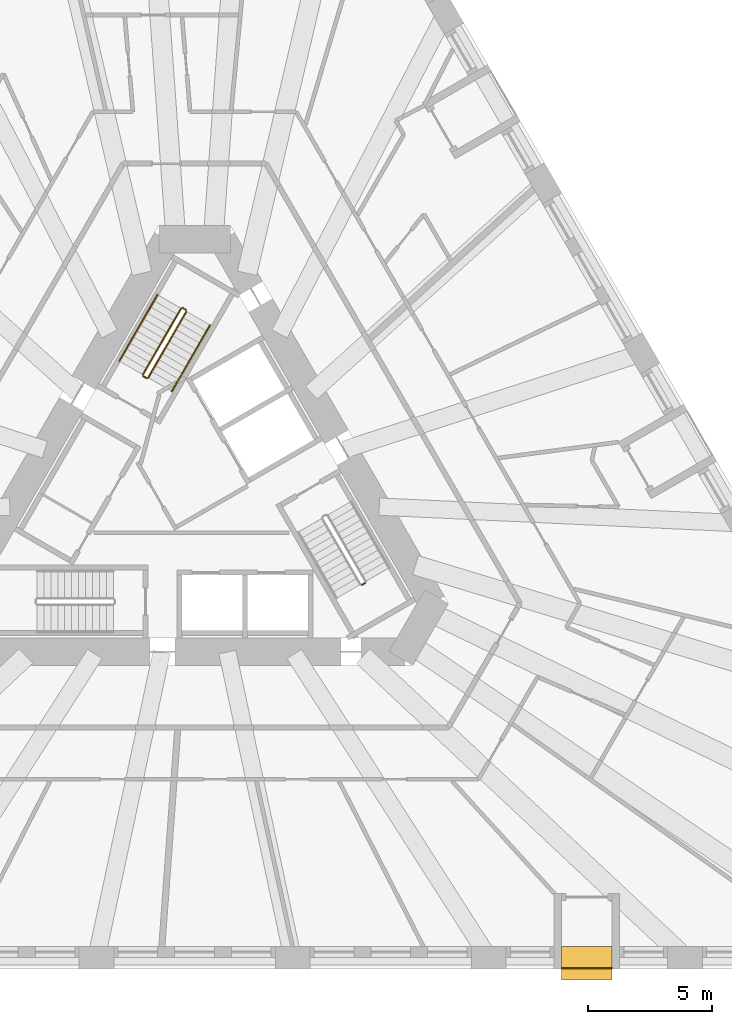
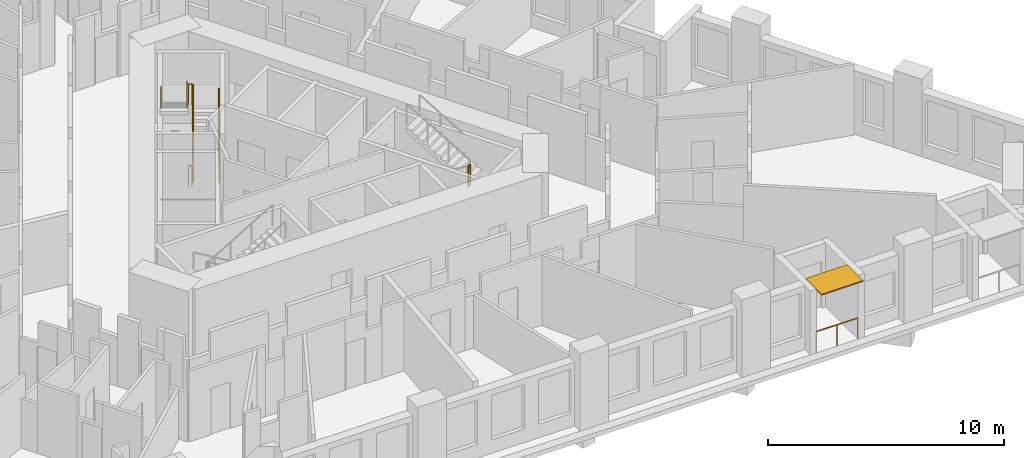
# One storey, part 12 of 14: 8 railings, 1 shading device.
"""IFC4 building model written with IfcOpenShell, lengths in metres."""

from ifc_helpers import new_model, si_unit, direction, frame, origin, origin_2d, place, context, subcontext, project, spatial, rectangle, circle, extrude, material, layer, layer_set, type_object, element, save


model = new_model("IFC4")

# Units and contexts
model_context = context("Model", 3, precision=1e-05, world=origin(), true_north=direction((0.0, 1.0)))
body_context = subcontext(model_context, "Body", "Model", "MODEL_VIEW")
ifc_project = project(units=[si_unit("LENGTHUNIT", "METRE"), si_unit("AREAUNIT", "SQUARE_METRE"), si_unit("VOLUMEUNIT", "CUBIC_METRE"), si_unit("PLANEANGLEUNIT", "RADIAN"), si_unit("MASSUNIT", "GRAM", prefix="KILO")], contexts=[model_context])

# Site, building, storey
site_placement = place(None, origin())
site = spatial("IfcSite", under=ifc_project, at=site_placement, CompositionType="ELEMENT")
building_placement = place(site_placement, origin())
building = spatial("IfcBuilding", under=site, at=building_placement, Name="Tramontana Tower", CompositionType="ELEMENT")
storey_placement = place(building_placement, frame((0.0, 0.0, 30.0)))
storey = spatial("IfcBuildingStorey", under=building, at=storey_placement, Name="L05", CompositionType="ELEMENT", Elevation=30.0)

# Railing
ifc_material_1 = material(Name="Laminated glass balustrade", Category="glass")
railing_type_1 = type_object("IfcRailingType", Name="GD1 Loggia glass balustrade 1100", PredefinedType="BALUSTRADE", material=ifc_material_1)
railing_1_placement = place(storey_placement, frame((14.816162109375, -18.969970703125, 0.0)))
element("IfcRailing", 1, at=railing_1_placement, inside=storey, type_object=railing_type_1, Name="Loggia balustrade L05 G0S1.16", PredefinedType="BALUSTRADE", context=body_context, shape_type="SweptSolid", body=[
    extrude(circle(Radius=0.02392578125, at=origin_2d()), frame((0.0, 0.0, 1.076171875), z_axis=(1.0, 0.0, 0.0), x_axis=(0.0, 1.0, 0.0)), (0.0, 0.0, 1.0), 2.039306640625),
    extrude(circle(Radius=0.02099609375, at=origin_2d()), origin(), (0.0, 0.0, 1.0), 1.052001953125),
    extrude(circle(Radius=0.02099609375, at=origin_2d()), frame((1.01953125, 0.0, 0.0)), (0.0, 0.0, 1.0), 1.052001953125),
    extrude(circle(Radius=0.02099609375, at=origin_2d()), frame((2.039306640625, 0.0, 0.0)), (0.0, 0.0, 1.0), 1.052001953125),
])

# Shading device
ifc_material_2 = material(Name="Precast concrete 60 MPa", Category="concrete")
ifc_layer = layer(ifc_material_2, 0.06005859375)
ifc_layer_set = layer_set([ifc_layer], Name="SS1 Stone sunshade blade 60")
shading_device_type = type_object("IfcShadingDeviceType", Name="SS1 Stone sunshade blade 60", PredefinedType="USERDEFINED", material=ifc_layer_set)
shading_device_placement = place(storey_placement, frame((15.8359375, -18.77490234375, 3.239990234375), z_axis=(0.0, 0.0, 1.0), x_axis=(1.0, 0.0, 0.0)))
element("IfcShadingDevice", 2, at=shading_device_placement, inside=storey, type_object=shading_device_type, Name="Sunshade L05 G0S1.16", ObjectType="SUNSHADE", PredefinedType="USERDEFINED", context=body_context, shape_type="SweptSolid", body=[
    extrude(rectangle(XDim=2.039306640625, YDim=1.35009765625, at=origin_2d()), origin(), (0.0, 0.0, 1.0), 0.06005859375),
])

# Railings
ifc_material_3 = material(Name="Painted steel", Category="steel")
railing_type_2 = type_object("IfcRailingType", Name="STAIR GUARD 1100", PredefinedType="GUARDRAIL", material=ifc_material_3)
railing_2_placement = place(storey_placement, frame((-1.867431640625, 4.865478515625, 0.166748046875)))
element("IfcRailing", 3, at=railing_2_placement, inside=storey, type_object=railing_type_2, Name="L05 ST1 stair guard 1", PredefinedType="GUARDRAIL", context=body_context, shape_type="SweptSolid", body=[
    extrude(circle(Radius=0.02392578125, at=origin_2d()), frame((0.0, 0.0, 1.076171875), z_axis=(0.429649414936, 0.744189839504, 0.511451721109), x_axis=(-0.866029832698, 0.499992328818, 0.0)), (0.0, 0.0, 1.0), 3.58447265625),
    extrude(circle(Radius=0.02099609375, at=origin_2d()), origin(), (0.0, 0.0, 1.0), 1.052001953125),
    extrude(circle(Radius=0.02099609375, at=origin_2d()), frame((0.513427734375, 0.88916015625, 0.611083984375)), (0.0, 0.0, 1.0), 1.052001953125),
    extrude(circle(Radius=0.02099609375, at=origin_2d()), frame((1.026611328125, 1.7783203125, 1.22216796875)), (0.0, 0.0, 1.0), 1.052001953125),
    extrude(circle(Radius=0.02099609375, at=origin_2d()), frame((1.5400390625, 2.66748046875, 1.833251953125)), (0.0, 0.0, 1.0), 1.052001953125),
])
railing_3_placement = place(storey_placement, frame((-0.5439453125, 7.657958984375, 2.166748046875)))
element("IfcRailing", 4, at=railing_3_placement, inside=storey, type_object=railing_type_2, Name="L05 ST1 stair guard 2", PredefinedType="GUARDRAIL", context=body_context, shape_type="SweptSolid", body=[
    extrude(circle(Radius=0.02392578125, at=origin_2d()), frame((0.0, 0.0, 1.076171875), z_axis=(-0.429649414936, -0.744189839504, 0.511451721109), x_axis=(0.866029832698, -0.499992328818, 0.0)), (0.0, 0.0, 1.0), 3.58447265625),
    extrude(circle(Radius=0.02099609375, at=origin_2d()), origin(), (0.0, 0.0, 1.0), 1.052001953125),
    extrude(circle(Radius=0.02099609375, at=origin_2d()), frame((-0.513427734375, -0.88916015625, 0.611083984375)), (0.0, 0.0, 1.0), 1.052001953125),
    extrude(circle(Radius=0.02099609375, at=origin_2d()), frame((-1.026611328125, -1.7783203125, 1.22216796875)), (0.0, 0.0, 1.0), 1.052001953125),
    extrude(circle(Radius=0.02099609375, at=origin_2d()), frame((-1.5400390625, -2.66748046875, 1.833251953125)), (0.0, 0.0, 1.0), 1.052001953125),
])
railing_4_placement = place(storey_placement, frame((-0.345703125, 7.601318359375, 2.0)))
element("IfcRailing", 5, at=railing_4_placement, inside=storey, type_object=railing_type_2, Name="L05 ST1 stair guard 3", PredefinedType="GUARDRAIL", context=body_context, shape_type="SweptSolid", body=[
    extrude(circle(Radius=0.02392578125, at=origin_2d()), frame((0.0, 0.0, 1.076171875), z_axis=(-0.866131372301, 0.499816412211, 0.0), x_axis=(-0.499816412211, -0.866131372301, 0.0)), (0.0, 0.0, 1.0), 0.14990234375),
    extrude(circle(Radius=0.02099609375, at=origin_2d()), origin(), (0.0, 0.0, 1.0), 1.052001953125),
    extrude(circle(Radius=0.02099609375, at=origin_2d()), frame((-0.1298828125, 0.074951171875, 0.0)), (0.0, 0.0, 1.0), 1.052001953125),
])
railing_5_placement = place(storey_placement, frame((-1.935791015625, 4.84716796875, 0.0)))
element("IfcRailing", 6, at=railing_5_placement, inside=storey, type_object=railing_type_2, Name="L05 ST1 stair guard 4", PredefinedType="GUARDRAIL", context=body_context, shape_type="SweptSolid", body=[
    extrude(circle(Radius=0.02392578125, at=origin_2d()), frame((0.0, 0.0, 1.076171875), z_axis=(-0.865426285481, 0.501036270542, 0.0), x_axis=(-0.501036270542, -0.865426285481, 0.0)), (0.0, 0.0, 1.0), 0.150146484375),
    extrude(circle(Radius=0.02099609375, at=origin_2d()), origin(), (0.0, 0.0, 1.0), 1.052001953125),
    extrude(circle(Radius=0.02099609375, at=origin_2d()), frame((-0.1298828125, 0.0751953125, 0.0)), (0.0, 0.0, 1.0), 1.052001953125),
])
railing_6_placement = place(storey_placement, frame((6.755615234375, -3.501220703125, 2.0)))
element("IfcRailing", 7, at=railing_6_placement, inside=storey, type_object=railing_type_2, Name="L05 ST3 stair guard 3", PredefinedType="GUARDRAIL", context=body_context, shape_type="SweptSolid", body=[
    extrude(circle(Radius=0.02392578125, at=origin_2d()), frame((0.0, 0.0, 1.076171875), z_axis=(0.866131372301, 0.499816412211, 0.0), x_axis=(-0.499816412211, 0.866131372301, 0.0)), (0.0, 0.0, 1.0), 0.14990234375),
    extrude(circle(Radius=0.02099609375, at=origin_2d()), origin(), (0.0, 0.0, 1.0), 1.052001953125),
    extrude(circle(Radius=0.02099609375, at=origin_2d()), frame((0.1298828125, 0.074951171875, 0.0)), (0.0, 0.0, 1.0), 1.052001953125),
])
ifc_material_4 = material(Name="Painted steel", Category="steel")
railing_type_3 = type_object("IfcRailingType", Name="STAIR HANDRAIL 900", PredefinedType="HANDRAIL", material=ifc_material_4)
railing_7_placement = place(storey_placement, frame((-0.914794921875, 4.315673828125, 0.166748046875)))
element("IfcRailing", 8, at=railing_7_placement, inside=storey, type_object=railing_type_3, Name="L05 ST1 stair handrail 1", PredefinedType="HANDRAIL", context=body_context, shape_type="SweptSolid", body=[
    extrude(circle(Radius=0.02392578125, at=origin_2d()), frame((0.0, 0.0, 0.8759765625), z_axis=(0.429671193721, 0.744159446956, 0.511477646425), x_axis=(-0.866010015463, 0.500026652407, 0.0)), (0.0, 0.0, 1.0), 3.584228515625),
    extrude(circle(Radius=0.02099609375, at=origin_2d()), origin(), (0.0, 0.0, 1.0), 0.851806640625),
    extrude(circle(Radius=0.02099609375, at=origin_2d()), frame((0.513427734375, 0.88916015625, 0.611083984375)), (0.0, 0.0, 1.0), 0.851806640625),
    extrude(circle(Radius=0.02099609375, at=origin_2d()), frame((1.026611328125, 1.778076171875, 1.22216796875)), (0.0, 0.0, 1.0), 0.851806640625),
    extrude(circle(Radius=0.02099609375, at=origin_2d()), frame((1.5400390625, 2.667236328125, 1.833251953125)), (0.0, 0.0, 1.0), 0.851806640625),
])
railing_8_placement = place(storey_placement, frame((-1.49658203125, 8.2080078125, 2.166748046875)))
element("IfcRailing", 9, at=railing_8_placement, inside=storey, type_object=railing_type_3, Name="L05 ST1 stair handrail 2", PredefinedType="HANDRAIL", context=body_context, shape_type="SweptSolid", body=[
    extrude(circle(Radius=0.02392578125, at=origin_2d()), frame((0.0, 0.0, 0.8759765625), z_axis=(-0.429649414936, -0.744189839504, 0.511451721109), x_axis=(0.866029832698, -0.499992328818, 0.0)), (0.0, 0.0, 1.0), 3.58447265625),
    extrude(circle(Radius=0.02099609375, at=origin_2d()), origin(), (0.0, 0.0, 1.0), 0.851806640625),
    extrude(circle(Radius=0.02099609375, at=origin_2d()), frame((-0.513427734375, -0.88916015625, 0.611083984375)), (0.0, 0.0, 1.0), 0.851806640625),
    extrude(circle(Radius=0.02099609375, at=origin_2d()), frame((-1.026611328125, -1.7783203125, 1.22216796875)), (0.0, 0.0, 1.0), 0.851806640625),
    extrude(circle(Radius=0.02099609375, at=origin_2d()), frame((-1.5400390625, -2.66748046875, 1.833251953125)), (0.0, 0.0, 1.0), 0.851806640625),
])

save(model, "model.ifc")
